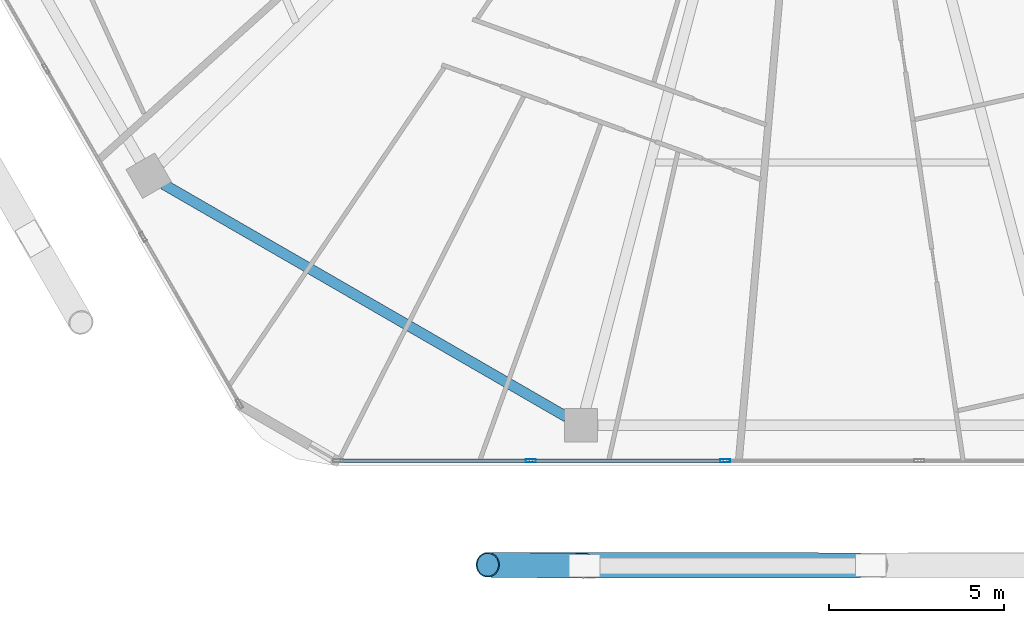
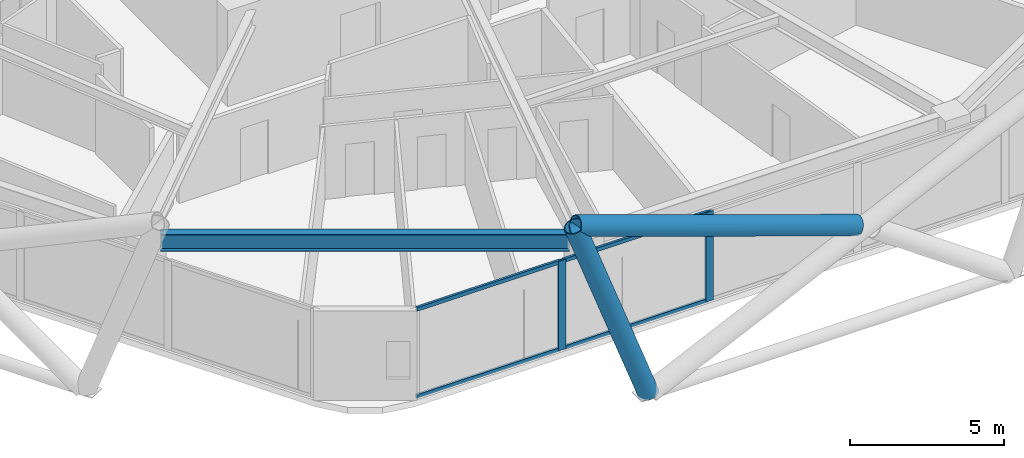
# One storey, part 3 of 28: 8 members, 1 beam, 1 element without a shape of its own.
"""IFC4 building model written with IfcOpenShell, lengths in metres."""

import ifcopenshell
import ifcopenshell.guid

model = None  # the IFC model being written
_history = None  # IfcOwnerHistory: only IFC2X3 demands one
_inside = {}  # id of a spatial element -> (the spatial element, [elements in it])
_under = {}  # id of a project, library or spatial element -> (it, [spatial elements below it])
_declared = {}  # id of a project -> (the project, [libraries it declares])
_typed = {}  # id of a type object -> (the type object, [elements of that type])
_made_of = {}  # id of a material, layer set ... -> (it, [elements and type objects made of it])


def new_model(schema):
    """Start an empty IFC model of exactly this schema.

    Asked for "IFC4X3", IfcOpenShell would pick the latest addendum, in which some entities
    have other attributes; the version numbers below select the first issue.
    IFC2X3 requires an IfcOwnerHistory on every rooted entity: one is made here for all.
    """
    global model, _history
    if schema == "IFC4X3":
        model = ifcopenshell.file(schema_version=(4, 3, 0, 0))
    else:
        model = ifcopenshell.file(schema=schema)
    _inside.clear()
    _under.clear()
    _declared.clear()
    _typed.clear()
    _made_of.clear()
    _history = None
    if model.schema == "IFC2X3":
        org = make("IfcOrganization", Name="unknown")
        user = make(
            "IfcPersonAndOrganization",
            ThePerson=make("IfcPerson", FamilyName="unknown"),
            TheOrganization=org,
        )
        app = make(
            "IfcApplication",
            ApplicationDeveloper=org,
            Version="unknown",
            ApplicationFullName="unknown",
            ApplicationIdentifier="unknown",
        )
        _history = make(
            "IfcOwnerHistory",
            OwningUser=user,
            OwningApplication=app,
            ChangeAction="ADDED",
            CreationDate=0,
        )
    return model


def make(cls, **values):
    """One entity of the class cls with the attributes given. An attribute that is None is left unset."""
    return model.create_entity(
        cls, **{name: value for name, value in values.items() if value is not None}
    )


def rooted(cls, **values):
    """An entity with a GlobalId (a new one), such as an element, a storey or a relation."""
    return make(cls, GlobalId=ifcopenshell.guid.new(), OwnerHistory=_history, **values)


def si_unit(unit_type, name, prefix=None):
    """IfcSIUnit, for example si_unit("LENGTHUNIT", "METRE", prefix="MILLI")."""
    return make("IfcSIUnit", UnitType=unit_type, Prefix=prefix, Name=name)


def assignment(units):
    """IfcUnitAssignment: the units of a project."""
    return None if units is None else make("IfcUnitAssignment", Units=units)


def point(xyz):
    """IfcCartesianPoint."""
    return None if xyz is None else make("IfcCartesianPoint", Coordinates=xyz)


def direction(xyz):
    """IfcDirection."""
    return None if xyz is None else make("IfcDirection", DirectionRatios=xyz)


def frame(location, z_axis=None, x_axis=None):
    """IfcAxis2Placement3D, a coordinate frame: its origin and axes. An axis left out is left unset."""
    return make(
        "IfcAxis2Placement3D",
        Location=point(location),
        Axis=direction(z_axis),
        RefDirection=direction(x_axis),
    )


def frame_2d(location, x_axis=None):
    """IfcAxis2Placement2D, a coordinate frame in the plane: its origin and x axis."""
    return make(
        "IfcAxis2Placement2D", Location=point(location), RefDirection=direction(x_axis)
    )


def origin():
    """The frame at (0, 0, 0) with its axes left unset."""
    return frame((0.0, 0.0, 0.0))


def origin_2d():
    """The frame at (0, 0) in the plane with its x axis left unset."""
    return frame_2d((0.0, 0.0))


def place(relative_to, where):
    """IfcLocalPlacement: puts the frame where relative to a parent placement (None: the world)."""
    return make(
        "IfcLocalPlacement", PlacementRelTo=relative_to, RelativePlacement=where
    )


def context(
    kind, dimensions, precision=None, world=None, true_north=None, identifier=None
):
    """IfcGeometricRepresentationContext, for example the 3D "Model" context."""
    return make(
        "IfcGeometricRepresentationContext",
        ContextIdentifier=identifier,
        ContextType=kind,
        CoordinateSpaceDimension=dimensions,
        Precision=precision,
        WorldCoordinateSystem=world,
        TrueNorth=true_north,
    )


def subcontext(parent, identifier, kind, view, scale=None):
    """IfcGeometricRepresentationSubContext, for example "Body" below "Model"."""
    return make(
        "IfcGeometricRepresentationSubContext",
        ContextIdentifier=identifier,
        ContextType=kind,
        ParentContext=parent,
        TargetScale=scale,
        TargetView=view,
    )


def project(units=None, contexts=None):
    """IfcProject with its units and contexts."""
    return rooted(
        "IfcProject",
        Name="project",
        RepresentationContexts=contexts,
        UnitsInContext=assignment(units),
    )


def spatial(cls, under=None, at=None, **own):
    """A site, building, storey or space (cls), placed at a placement, below another one or the project."""
    s = rooted(cls, ObjectPlacement=at, **own)
    if under is not None:
        _under.setdefault(under.id(), (under, []))[1].append(s)
    return s


def profile(cls, at=None, kind="AREA", **sizes):
    """A parametric profile (cls). Its sizes go by their IFC names, for example OverallWidth=200.0."""
    return make(cls, ProfileType=kind, Position=at, **sizes)


def hollow_rectangle(**sizes):
    """IfcRectangleHollowProfileDef."""
    return profile("IfcRectangleHollowProfileDef", **sizes)


def hollow_circle(**sizes):
    """IfcCircleHollowProfileDef."""
    return profile("IfcCircleHollowProfileDef", **sizes)


def i_section(**sizes):
    """IfcIShapeProfileDef."""
    return profile("IfcIShapeProfileDef", **sizes)


def extrude(swept, where, along, depth):
    """IfcExtrudedAreaSolid: the profile swept, set in the frame where, extruded along a direction by depth."""
    return make(
        "IfcExtrudedAreaSolid",
        SweptArea=swept,
        Position=where,
        ExtrudedDirection=direction(along),
        Depth=depth,
    )


def shape(context_of_items, identifier, shape_type, items):
    """IfcShapeRepresentation: the items that make up one representation, for example the "Body"."""
    return make(
        "IfcShapeRepresentation",
        ContextOfItems=context_of_items,
        RepresentationIdentifier=identifier,
        RepresentationType=shape_type,
        Items=items,
    )


def material(Name=None, Category=None):
    """IfcMaterial."""
    return make("IfcMaterial", Name=Name, Category=Category)


def material_profile(
    of_material, cross_section, Name=None, Category=None, Priority=None
):
    """IfcMaterialProfile: a cross section and its material."""
    return make(
        "IfcMaterialProfile",
        Name=Name,
        Material=of_material,
        Profile=cross_section,
        Priority=Priority,
        Category=Category,
    )


def profile_set(profiles, Name=None, composite=None):
    """IfcMaterialProfileSet."""
    return make(
        "IfcMaterialProfileSet",
        Name=Name,
        MaterialProfiles=profiles,
        CompositeProfile=composite,
    )


def made_of(thing, what):
    """Note that an element or type object is made of a material, layer set ...; save() writes the relation."""
    if what is not None:
        _made_of.setdefault(what.id(), (what, []))[1].append(thing)
    return thing


def type_object(cls, material=None, **own):
    """A type object (cls), such as IfcWallType, which elements share."""
    return made_of(rooted(cls, **own), material)


def element(
    cls,
    number,
    at=None,
    inside=None,
    cuts=None,
    type_object=None,
    material=None,
    context=None,
    identifier="Body",
    shape_type=None,
    held_by="IfcProductDefinitionShape",
    body=None,
    shapes=None,
    **own,
):
    """One element of the class cls, such as IfcWall. Its Tag is "e" and its number.

    at: its placement. inside: the storey or other place that contains it. cuts: it is an
    opening in that element (IfcRelVoidsElement). A single representation is given by context,
    identifier, shape_type and body (its items); several are given by shapes. held_by: the class
    of the entity that holds the representations. save() writes the other relations.
    """
    e = rooted(cls, Tag="e%d" % number, ObjectPlacement=at, **own)
    if body is not None:
        shapes = [shape(context, identifier, shape_type, body)]
    if shapes is not None:
        e.Representation = make(held_by, Representations=shapes)
    if inside is not None:
        _inside.setdefault(inside.id(), (inside, []))[1].append(e)
    if cuts is not None:
        rooted(
            "IfcRelVoidsElement", RelatingBuildingElement=cuts, RelatedOpeningElement=e
        )
    if type_object is not None:
        _typed.setdefault(type_object.id(), (type_object, []))[1].append(e)
    return made_of(e, material)


def aggregate(whole, parts):
    """IfcRelAggregates: a whole, such as a stair, and the parts it consists of."""
    return rooted("IfcRelAggregates", RelatingObject=whole, RelatedObjects=parts)


def save(model, path):
    """Write the relations noted so far, then the file.

    IfcRelAggregates (storeys below a building ...), IfcRelContainedInSpatialStructure (elements
    in a storey), IfcRelDefinesByType, IfcRelAssociatesMaterial and IfcRelDeclares: one each for
    every whole, place, type object, material and project.
    """
    for whole, parts in _under.values():
        aggregate(whole, parts)
    for where, things in _inside.values():
        rooted(
            "IfcRelContainedInSpatialStructure",
            RelatedElements=things,
            RelatingStructure=where,
        )
    for kind, things in _typed.values():
        rooted("IfcRelDefinesByType", RelatedObjects=things, RelatingType=kind)
    for what, things in _made_of.values():
        rooted("IfcRelAssociatesMaterial", RelatedObjects=things, RelatingMaterial=what)
    for by, libraries in _declared.values():
        rooted("IfcRelDeclares", RelatingContext=by, RelatedDefinitions=libraries)
    model.write(path)


model = new_model("IFC4")

# Units and contexts
model_context = context("Model", 3, precision=1e-05, world=origin(), true_north=direction((0.0, 1.0)))
body_context = subcontext(model_context, "Body", "Model", "MODEL_VIEW")
ifc_project = project(units=[si_unit("LENGTHUNIT", "METRE"), si_unit("AREAUNIT", "SQUARE_METRE"), si_unit("VOLUMEUNIT", "CUBIC_METRE"), si_unit("PLANEANGLEUNIT", "RADIAN"), si_unit("MASSUNIT", "GRAM", prefix="KILO")], contexts=[model_context])

# Site, building, storey
site_placement = place(None, origin())
site = spatial("IfcSite", under=ifc_project, at=site_placement, CompositionType="ELEMENT")
building_placement = place(site_placement, origin())
building = spatial("IfcBuilding", under=site, at=building_placement, Name="Zuhravey Tower", CompositionType="ELEMENT")
storey_placement = place(building_placement, frame((0.0, 0.0, 199.800048828125)))
storey = spatial("IfcBuildingStorey", under=building, at=storey_placement, Name="L50", CompositionType="ELEMENT", Elevation=199.800048828125)

# Curtain wall, members
ifc_material_1 = material(Name="Thermally broken anodised aluminium", Category="aluminium")
curtain_wall_type = type_object("IfcCurtainWallType", Name="Zone 1-2 Residential Curtain Wall CW3", PredefinedType="NOTDEFINED", material=ifc_material_1)
curtain_wall_placement = place(storey_placement, origin())
curtain_wall = element("IfcCurtainWall", 1, at=curtain_wall_placement, inside=storey, type_object=curtain_wall_type, Name="L50 CW3 CW-L50-F5-1", PredefinedType="NOTDEFINED")
ifc_material_2 = material(Name="Anodised aluminium", Category="aluminium")
ifc_material_profile_1 = material_profile(ifc_material_2, hollow_rectangle(XDim=0.090087890625, YDim=0.284912109375, WallThickness=0.0048828125, at=origin_2d()), Name="ALU-RHS-90x285x5")
ifc_profile_set_1 = profile_set([ifc_material_profile_1], Name="Anodised aluminium")
member_type_1 = type_object("IfcMemberType", Name="Curtain-Wall Mullion 90x180", PredefinedType="MULLION", material=ifc_profile_set_1)
member_1_placement = place(storey_placement, frame((33.227783203125, 4.81689453125, 0.0), z_axis=(0.0, 0.0, 1.0), x_axis=(0.0, -1.0, 0.0)))
member_1 = element("IfcMember", 2, at=member_1_placement, type_object=member_type_1, Name="CW3 mullion 4", PredefinedType="MULLION", context=body_context, shape_type="SweptSolid", body=[
    extrude(hollow_rectangle(XDim=0.090087890625, YDim=0.284912109375, WallThickness=0.0048828125, at=origin_2d()), origin(), (0.0, 0.0, 1.0), 3.550048828125),
])
member_2_placement = place(storey_placement, frame((27.683349609375, 4.81689453125, 0.0), z_axis=(0.0, 0.0, 1.0), x_axis=(0.0, -1.0, 0.0)))
member_2 = element("IfcMember", 3, at=member_2_placement, type_object=member_type_1, Name="CW3 mullion 5", PredefinedType="MULLION", context=body_context, shape_type="SweptSolid", body=[
    extrude(hollow_rectangle(XDim=0.090087890625, YDim=0.284912109375, WallThickness=0.0048828125, at=origin_2d()), origin(), (0.0, 0.0, 1.0), 3.550048828125),
])
ifc_material_profile_2 = material_profile(ifc_material_2, hollow_rectangle(XDim=0.090087890625, YDim=0.14990234375, WallThickness=0.0048828125, at=origin_2d()), Name="ALU-RHS-90x150x5")
ifc_profile_set_2 = profile_set([ifc_material_profile_2], Name="Anodised aluminium")
member_type_2 = type_object("IfcMemberType", Name="Curtain-Wall Transom 90x150", PredefinedType="USERDEFINED", material=ifc_profile_set_2)
member_3_placement = place(storey_placement, frame((33.182861328125, 4.81689453125, 0.044921875), z_axis=(-1.0, 0.0, 0.0), x_axis=(0.0, -1.0, 0.0)))
member_3 = element("IfcMember", 4, at=member_3_placement, type_object=member_type_2, Name="CW3 transom 4.1", ObjectType="TRANSOM", PredefinedType="USERDEFINED", context=body_context, shape_type="SweptSolid", body=[
    extrude(hollow_rectangle(XDim=0.090087890625, YDim=0.14990234375, WallThickness=0.0048828125, at=origin_2d()), origin(), (0.0, 0.0, 1.0), 5.45458984375),
])
member_4_placement = place(storey_placement, frame((33.182861328125, 4.81689453125, 3.5048828125), z_axis=(-1.0, 0.0, 0.0), x_axis=(0.0, -1.0, 0.0)))
member_4 = element("IfcMember", 5, at=member_4_placement, type_object=member_type_2, Name="CW3 transom 4.2", ObjectType="TRANSOM", PredefinedType="USERDEFINED", context=body_context, shape_type="SweptSolid", body=[
    extrude(hollow_rectangle(XDim=0.090087890625, YDim=0.14990234375, WallThickness=0.0048828125, at=origin_2d()), origin(), (0.0, 0.0, 1.0), 5.45458984375),
])
member_5_placement = place(storey_placement, frame((27.638427734375, 4.81689453125, 0.044921875), z_axis=(-1.0, 0.0, 0.0), x_axis=(0.0, -1.0, 0.0)))
member_5 = element("IfcMember", 6, at=member_5_placement, type_object=member_type_2, Name="CW3 transom 5.1", ObjectType="TRANSOM", PredefinedType="USERDEFINED", context=body_context, shape_type="SweptSolid", body=[
    extrude(hollow_rectangle(XDim=0.090087890625, YDim=0.14990234375, WallThickness=0.0048828125, at=origin_2d()), origin(), (0.0, 0.0, 1.0), 5.409423828125),
])
member_6_placement = place(storey_placement, frame((27.638427734375, 4.81689453125, 3.5048828125), z_axis=(-1.0, 0.0, 0.0), x_axis=(0.0, -1.0, 0.0)))
member_6 = element("IfcMember", 7, at=member_6_placement, type_object=member_type_2, Name="CW3 transom 5.2", ObjectType="TRANSOM", PredefinedType="USERDEFINED", context=body_context, shape_type="SweptSolid", body=[
    extrude(hollow_rectangle(XDim=0.090087890625, YDim=0.14990234375, WallThickness=0.0048828125, at=origin_2d()), origin(), (0.0, 0.0, 1.0), 5.409423828125),
])
aggregate(curtain_wall, [member_1, member_2, member_3, member_4, member_5, member_6])

# Members
ifc_material_3 = material(Name="Steel SM460", Category="steel")
ifc_material_profile_3 = material_profile(ifc_material_3, hollow_circle(Radius=0.355712890625, WallThickness=0.031982421875, at=origin_2d()), Name="CHS-711.2x32")
ifc_profile_set_3 = profile_set([ifc_material_profile_3], Name="Steel SM460")
member_type_3 = type_object("IfcMemberType", Name="Exoskeleton Zone 2 Diagrid CHS711x32", PredefinedType="BRACE", material=ifc_profile_set_3)
member_7_placement = place(storey_placement, frame((29.211669921875, 1.81689453125, -0.444091796875), z_axis=(-0.342856006201, 0.003731312048, 0.939380559902), x_axis=(-0.010882385115, -0.999940785094, 0.0)))
element("IfcMember", 8, at=member_7_placement, inside=storey, type_object=member_type_3, Name="L50 Face 5 Diagrid Brace 1", PredefinedType="BRACE", context=body_context, shape_type="SweptSolid", body=[
    extrude(hollow_circle(Radius=0.355712890625, WallThickness=0.031982421875, at=origin_2d()), origin(), (0.0, 0.0, 1.0), 8.0478515625),
])
member_8_placement = place(storey_placement, frame((37.060546875, 1.832275390625, 3.44921875), z_axis=(-0.944652759508, 0.001309048122, 0.32806927675), x_axis=(-0.001385743969, -0.999999039856, 0.0)))
element("IfcMember", 9, at=member_8_placement, inside=storey, type_object=member_type_3, Name="L50 Face 5 Split Diagrid Brace 3B", PredefinedType="BRACE", context=body_context, shape_type="SweptSolid", body=[
    extrude(hollow_circle(Radius=0.355712890625, WallThickness=0.031982421875, at=origin_2d()), origin(), (0.0, 0.0, 1.0), 11.190185546875),
])

# Beam
ifc_material_4 = material(Name="Steel SM355", Category="steel")
ifc_material_profile_4 = material_profile(ifc_material_4, i_section(OverallWidth=0.300048828125, OverallDepth=0.679931640625, WebThickness=0.012939453125, FlangeThickness=0.02197265625, at=origin_2d()), Name="H-680x300x13x22")
ifc_profile_set_4 = profile_set([ifc_material_profile_4], Name="Steel SM355")
beam_type = type_object("IfcBeamType", Name="Perimeter Ring Beam H680x300", PredefinedType="BEAM", material=ifc_profile_set_4)
beam_placement = place(storey_placement, frame((17.1884765625, 12.71435546875, 3.2099609375), z_axis=(0.866029041019, -0.499993700073, 0.0), x_axis=(0.499993700073, 0.866029041019, 0.0)))
element("IfcBeam", 10, at=beam_placement, inside=storey, type_object=beam_type, Name="L50 PB2 BM-L50-PB-08", PredefinedType="BEAM", context=body_context, shape_type="SweptSolid", body=[
    extrude(i_section(OverallWidth=0.300048828125, OverallDepth=0.679931640625, WebThickness=0.012939453125, FlangeThickness=0.02197265625, at=origin_2d()), origin(), (0.0, 0.0, 1.0), 13.297119140625),
])

save(model, "model.ifc")
